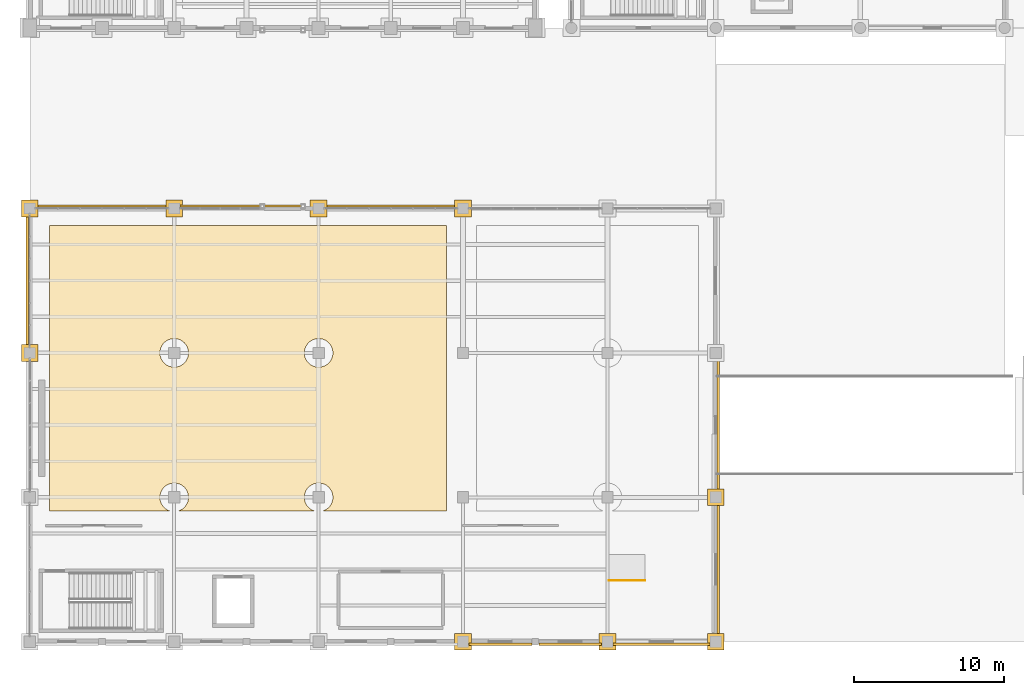
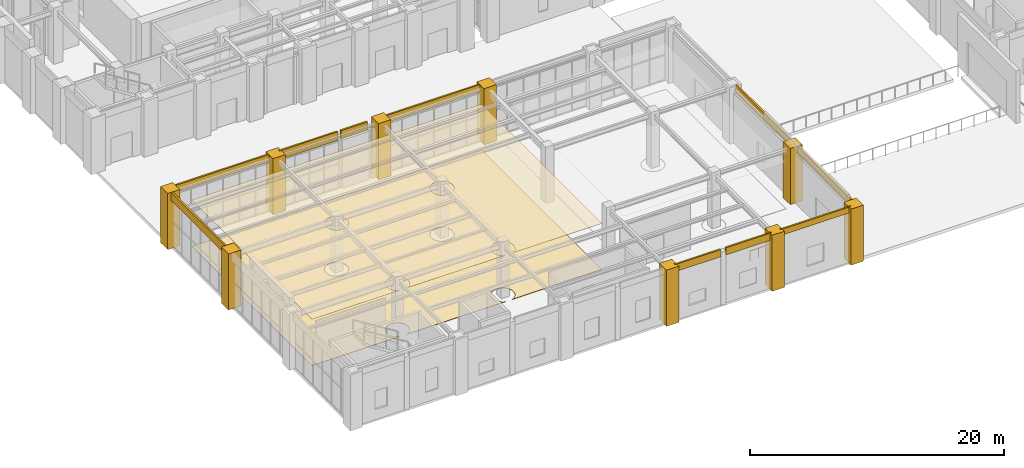
# One storey, part 141 of 164: 21 coverings, 1 railing.
"""IFC4 building model written with IfcOpenShell, lengths in metres."""

from ifc_helpers import new_model, si_unit, direction, frame, origin, origin_2d, place, context, subcontext, project, spatial, polyline, circle, outline, extrude, material, layer, layer_set, type_object, element, save


model = new_model("IFC4")

# Units and contexts
model_context = context("Model", 3, precision=1e-05, world=origin(), true_north=direction((0.0, 1.0)))
body_context = subcontext(model_context, "Body", "Model", "MODEL_VIEW")
ifc_project = project(units=[si_unit("LENGTHUNIT", "METRE"), si_unit("AREAUNIT", "SQUARE_METRE"), si_unit("VOLUMEUNIT", "CUBIC_METRE"), si_unit("PLANEANGLEUNIT", "RADIAN"), si_unit("MASSUNIT", "GRAM", prefix="KILO")], contexts=[model_context])

# Site, building, storey
site_placement = place(None, origin())
site = spatial("IfcSite", under=ifc_project, at=site_placement, CompositionType="ELEMENT")
building_placement = place(site_placement, origin())
building = spatial("IfcBuilding", under=site, at=building_placement, Name="Mavantir Sound Aquarium", CompositionType="ELEMENT")
storey_placement = place(building_placement, origin())
storey = spatial("IfcBuildingStorey", under=building, at=storey_placement, Name="L00", CompositionType="ELEMENT", Elevation=0.0)

# Coverings
ifc_material_1 = material(Name="Moisture-Resistant Acoustic Mineral Fibre Tile")
ifc_layer_1 = layer(ifc_material_1, 0.02490234375, Name="Moisture-Resistant Acoustic Mineral Fibre Tile")
ifc_layer_set_1 = layer_set([ifc_layer_1], Name="Moisture-Resistant Acoustic Mineral Fibre Tile")
covering_type_1 = type_object("IfcCoveringType", Name="COV-CEIL-AC", PredefinedType="CEILING", material=ifc_layer_set_1)
covering_1_placement = place(storey_placement, frame((0.0, 0.0, 4.458984375)))
element("IfcCovering", 1, at=covering_1_placement, inside=storey, type_object=covering_type_1, Name="L00 Education Centre Ground Foyer and School Seminar Hall suspended acoustic ceiling", PredefinedType="CEILING", context=body_context, shape_type="SweptSolid", body=[
    extrude(outline(polyline([(1.300048828125, 27.659912109375), (27.699951171875, 27.659912109375), (27.699951171875, 8.699951171875), (19.501220703125, 8.699951171875), (19.5634765625, 8.722412109375), (19.647705078125, 8.76220703125), (19.727783203125, 8.81005859375), (19.802734375, 8.865478515625), (19.871826171875, 8.92822265625), (19.934326171875, 8.997314453125), (19.989990234375, 9.072265625), (20.037841796875, 9.152099609375), (20.07763671875, 9.236572265625), (20.109130859375, 9.32421875), (20.131591796875, 9.414794921875), (20.1455078125, 9.5068359375), (20.14990234375, 9.60009765625), (20.1455078125, 9.693115234375), (20.131591796875, 9.785400390625), (20.109130859375, 9.875732421875), (20.07763671875, 9.96337890625), (20.037841796875, 10.0478515625), (19.989990234375, 10.127685546875), (19.934326171875, 10.20263671875), (19.871826171875, 10.271728515625), (19.802734375, 10.33447265625), (19.727783203125, 10.389892578125), (19.647705078125, 10.437744140625), (19.5634765625, 10.477783203125), (19.475830078125, 10.509033203125), (19.38525390625, 10.53173828125), (19.293212890625, 10.54541015625), (19.199951171875, 10.550048828125), (19.10693359375, 10.54541015625), (19.0146484375, 10.53173828125), (18.92431640625, 10.509033203125), (18.83642578125, 10.477783203125), (18.752197265625, 10.437744140625), (18.672119140625, 10.389892578125), (18.597412109375, 10.33447265625), (18.5283203125, 10.271728515625), (18.465576171875, 10.20263671875), (18.41015625, 10.127685546875), (18.3623046875, 10.0478515625), (18.322265625, 9.96337890625), (18.291015625, 9.875732421875), (18.268310546875, 9.785400390625), (18.254638671875, 9.693115234375), (18.25, 9.60009765625), (18.254638671875, 9.5068359375), (18.268310546875, 9.414794921875), (18.291015625, 9.32421875), (18.322265625, 9.236572265625), (18.3623046875, 9.152099609375), (18.41015625, 9.072265625), (18.465576171875, 8.997314453125), (18.5283203125, 8.92822265625), (18.597412109375, 8.865478515625), (18.672119140625, 8.81005859375), (18.752197265625, 8.76220703125), (18.83642578125, 8.722412109375), (18.898681640625, 8.699951171875), (9.901123046875, 8.699951171875), (9.96337890625, 8.722412109375), (10.0478515625, 8.76220703125), (10.127685546875, 8.81005859375), (10.20263671875, 8.865478515625), (10.271728515625, 8.92822265625), (10.33447265625, 8.997314453125), (10.389892578125, 9.072265625), (10.437744140625, 9.152099609375), (10.477783203125, 9.236572265625), (10.509033203125, 9.32421875), (10.53173828125, 9.414794921875), (10.54541015625, 9.5068359375), (10.550048828125, 9.60009765625), (10.54541015625, 9.693115234375), (10.53173828125, 9.785400390625), (10.509033203125, 9.875732421875), (10.477783203125, 9.96337890625), (10.437744140625, 10.0478515625), (10.389892578125, 10.127685546875), (10.33447265625, 10.20263671875), (10.271728515625, 10.271728515625), (10.20263671875, 10.33447265625), (10.127685546875, 10.389892578125), (10.0478515625, 10.437744140625), (9.96337890625, 10.477783203125), (9.875732421875, 10.509033203125), (9.785400390625, 10.53173828125), (9.693115234375, 10.54541015625), (9.60009765625, 10.550048828125), (9.5068359375, 10.54541015625), (9.414794921875, 10.53173828125), (9.32421875, 10.509033203125), (9.236572265625, 10.477783203125), (9.152099609375, 10.437744140625), (9.072265625, 10.389892578125), (8.997314453125, 10.33447265625), (8.92822265625, 10.271728515625), (8.865478515625, 10.20263671875), (8.81005859375, 10.127685546875), (8.76220703125, 10.0478515625), (8.722412109375, 9.96337890625), (8.69091796875, 9.875732421875), (8.668212890625, 9.785400390625), (8.654541015625, 9.693115234375), (8.64990234375, 9.60009765625), (8.654541015625, 9.5068359375), (8.668212890625, 9.414794921875), (8.69091796875, 9.32421875), (8.722412109375, 9.236572265625), (8.76220703125, 9.152099609375), (8.81005859375, 9.072265625), (8.865478515625, 8.997314453125), (8.92822265625, 8.92822265625), (8.997314453125, 8.865478515625), (9.072265625, 8.81005859375), (9.152099609375, 8.76220703125), (9.236572265625, 8.722412109375), (9.298828125, 8.699951171875), (1.300048828125, 8.699951171875), (1.300048828125, 27.659912109375)]), holes=[polyline([(10.33447265625, 18.597412109375), (10.389892578125, 18.672119140625), (10.437744140625, 18.752197265625), (10.477783203125, 18.83642578125), (10.509033203125, 18.92431640625), (10.53173828125, 19.0146484375), (10.54541015625, 19.10693359375), (10.550048828125, 19.199951171875), (10.54541015625, 19.293212890625), (10.53173828125, 19.38525390625), (10.509033203125, 19.475830078125), (10.477783203125, 19.5634765625), (10.437744140625, 19.647705078125), (10.389892578125, 19.727783203125), (10.33447265625, 19.802734375), (10.271728515625, 19.871826171875), (10.20263671875, 19.934326171875), (10.127685546875, 19.989990234375), (10.0478515625, 20.037841796875), (9.96337890625, 20.07763671875), (9.875732421875, 20.109130859375), (9.785400390625, 20.131591796875), (9.693115234375, 20.1455078125), (9.60009765625, 20.14990234375), (9.5068359375, 20.1455078125), (9.414794921875, 20.131591796875), (9.32421875, 20.109130859375), (9.236572265625, 20.07763671875), (9.152099609375, 20.037841796875), (9.072265625, 19.989990234375), (8.997314453125, 19.934326171875), (8.92822265625, 19.871826171875), (8.865478515625, 19.802734375), (8.81005859375, 19.727783203125), (8.76220703125, 19.647705078125), (8.722412109375, 19.5634765625), (8.69091796875, 19.475830078125), (8.668212890625, 19.38525390625), (8.654541015625, 19.293212890625), (8.64990234375, 19.199951171875), (8.654541015625, 19.10693359375), (8.668212890625, 19.0146484375), (8.69091796875, 18.92431640625), (8.722412109375, 18.83642578125), (8.76220703125, 18.752197265625), (8.81005859375, 18.672119140625), (8.865478515625, 18.597412109375), (8.92822265625, 18.5283203125), (8.997314453125, 18.465576171875), (9.072265625, 18.41015625), (9.152099609375, 18.3623046875), (9.236572265625, 18.322265625), (9.32421875, 18.291015625), (9.414794921875, 18.268310546875), (9.5068359375, 18.254638671875), (9.60009765625, 18.25), (9.693115234375, 18.254638671875), (9.785400390625, 18.268310546875), (9.875732421875, 18.291015625), (9.96337890625, 18.322265625), (10.0478515625, 18.3623046875), (10.127685546875, 18.41015625), (10.20263671875, 18.465576171875), (10.271728515625, 18.5283203125), (10.33447265625, 18.597412109375)]), polyline([(19.934326171875, 18.597412109375), (19.989990234375, 18.672119140625), (20.037841796875, 18.752197265625), (20.07763671875, 18.83642578125), (20.109130859375, 18.92431640625), (20.131591796875, 19.0146484375), (20.1455078125, 19.10693359375), (20.14990234375, 19.199951171875), (20.1455078125, 19.293212890625), (20.131591796875, 19.38525390625), (20.109130859375, 19.475830078125), (20.07763671875, 19.5634765625), (20.037841796875, 19.647705078125), (19.989990234375, 19.727783203125), (19.934326171875, 19.802734375), (19.871826171875, 19.871826171875), (19.802734375, 19.934326171875), (19.727783203125, 19.989990234375), (19.647705078125, 20.037841796875), (19.5634765625, 20.07763671875), (19.475830078125, 20.109130859375), (19.38525390625, 20.131591796875), (19.293212890625, 20.1455078125), (19.199951171875, 20.14990234375), (19.10693359375, 20.1455078125), (19.0146484375, 20.131591796875), (18.92431640625, 20.109130859375), (18.83642578125, 20.07763671875), (18.752197265625, 20.037841796875), (18.672119140625, 19.989990234375), (18.597412109375, 19.934326171875), (18.5283203125, 19.871826171875), (18.465576171875, 19.802734375), (18.41015625, 19.727783203125), (18.3623046875, 19.647705078125), (18.322265625, 19.5634765625), (18.291015625, 19.475830078125), (18.268310546875, 19.38525390625), (18.254638671875, 19.293212890625), (18.25, 19.199951171875), (18.254638671875, 19.10693359375), (18.268310546875, 19.0146484375), (18.291015625, 18.92431640625), (18.322265625, 18.83642578125), (18.3623046875, 18.752197265625), (18.41015625, 18.672119140625), (18.465576171875, 18.597412109375), (18.5283203125, 18.5283203125), (18.597412109375, 18.465576171875), (18.672119140625, 18.41015625), (18.752197265625, 18.3623046875), (18.83642578125, 18.322265625), (18.92431640625, 18.291015625), (19.0146484375, 18.268310546875), (19.10693359375, 18.254638671875), (19.199951171875, 18.25), (19.293212890625, 18.254638671875), (19.38525390625, 18.268310546875), (19.475830078125, 18.291015625), (19.5634765625, 18.322265625), (19.647705078125, 18.3623046875), (19.727783203125, 18.41015625), (19.802734375, 18.465576171875), (19.871826171875, 18.5283203125), (19.934326171875, 18.597412109375)])]), origin(), (0.0, 0.0, 1.0), 0.02490234375),
])
ifc_material_2 = material(Name="Honed Coral-Limestone & Glazed Terracotta Rainscreen Cladding", Category="masonry")
ifc_layer_2 = layer(ifc_material_2, 0.06005859375, Name="Honed Coral-Limestone & Glazed Terracotta Rainscreen Cladding")
ifc_layer_set_2 = layer_set([ifc_layer_2], Name="Honed Coral-Limestone & Glazed Terracotta Rainscreen Cladding")
covering_type_2 = type_object("IfcCoveringType", Name="COV-CLAD-TC", PredefinedType="CLADDING", material=ifc_layer_set_2)
covering_2_placement = place(storey_placement, frame((0.0, 0.0, 4.72802734375)))
element("IfcCovering", 2, at=covering_2_placement, inside=storey, type_object=covering_type_2, Name="L00 Postmodern coral-limestone spandrel frieze 44", PredefinedType="CLADDING", context=body_context, shape_type="SweptSolid", body=[
    extrude(outline(polyline([(45.68994140625, 0.383056640625), (45.68994140625, 9.217041015625), (45.840087890625, 9.217041015625), (45.840087890625, 0.383056640625), (45.68994140625, 0.383056640625)])), origin(), (0.0, 0.0, 1.0), 0.671875),
])
covering_3_placement = place(storey_placement, frame((0.0, 0.0, 4.72802734375)))
element("IfcCovering", 3, at=covering_3_placement, inside=storey, type_object=covering_type_2, Name="L00 Postmodern coral-limestone spandrel frieze 45", PredefinedType="CLADDING", context=body_context, shape_type="SweptSolid", body=[
    extrude(outline(polyline([(45.68994140625, 9.98291015625), (45.68994140625, 18.81689453125), (45.840087890625, 18.81689453125), (45.840087890625, 9.98291015625), (45.68994140625, 9.98291015625)])), origin(), (0.0, 0.0, 1.0), 0.671875),
])
covering_4_placement = place(storey_placement, frame((0.0, 0.0, 4.7080078125)))
element("IfcCovering", 4, at=covering_4_placement, inside=storey, type_object=covering_type_2, Name="L00 Postmodern coral-limestone spandrel frieze 49", PredefinedType="CLADDING", context=body_context, shape_type="SweptSolid", body=[
    extrude(outline(polyline([(28.4169921875, 28.889892578125), (19.5830078125, 28.889892578125), (19.5830078125, 29.0400390625), (28.4169921875, 29.0400390625), (28.4169921875, 28.889892578125)])), origin(), (0.0, 0.0, 1.0), 0.69189453125),
])
covering_5_placement = place(storey_placement, frame((0.0, 0.0, 4.571044921875)))
element("IfcCovering", 5, at=covering_5_placement, inside=storey, type_object=covering_type_2, Name="L00 Postmodern coral-limestone spandrel frieze 50", PredefinedType="CLADDING", context=body_context, shape_type="SweptSolid", body=[
    extrude(outline(polyline([(18.01708984375, 28.889892578125), (15.5830078125, 28.889892578125), (15.5830078125, 29.0400390625), (18.01708984375, 29.0400390625), (18.01708984375, 28.889892578125)])), origin(), (0.0, 0.0, 1.0), 0.828857421875),
])
covering_6_placement = place(storey_placement, frame((0.0, 0.0, 4.571044921875)))
element("IfcCovering", 6, at=covering_6_placement, inside=storey, type_object=covering_type_2, Name="L00 Postmodern coral-limestone spandrel frieze 51", PredefinedType="CLADDING", context=body_context, shape_type="SweptSolid", body=[
    extrude(outline(polyline([(15.31689453125, 28.889892578125), (9.98291015625, 28.889892578125), (9.98291015625, 29.0400390625), (15.31689453125, 29.0400390625), (15.31689453125, 28.889892578125)])), origin(), (0.0, 0.0, 1.0), 0.828857421875),
])
covering_7_placement = place(storey_placement, frame((0.0, 0.0, 4.7080078125)))
element("IfcCovering", 7, at=covering_7_placement, inside=storey, type_object=covering_type_2, Name="L00 Postmodern coral-limestone spandrel frieze 52", PredefinedType="CLADDING", context=body_context, shape_type="SweptSolid", body=[
    extrude(outline(polyline([(9.217041015625, 28.889892578125), (0.383056640625, 28.889892578125), (0.383056640625, 29.0400390625), (9.217041015625, 29.0400390625), (9.217041015625, 28.889892578125)])), origin(), (0.0, 0.0, 1.0), 0.69189453125),
])
covering_8_placement = place(storey_placement, frame((0.0, 0.0, 4.59912109375)))
element("IfcCovering", 8, at=covering_8_placement, inside=storey, type_object=covering_type_2, Name="L00 Postmodern coral-limestone spandrel frieze 53", PredefinedType="CLADDING", context=body_context, shape_type="SweptSolid", body=[
    extrude(outline(polyline([(-0.090087890625, 28.4169921875), (-0.090087890625, 19.5830078125), (-0.239990234375, 19.5830078125), (-0.239990234375, 28.4169921875), (-0.090087890625, 28.4169921875)])), origin(), (0.0, 0.0, 1.0), 0.80078125),
])
covering_9_placement = place(storey_placement, frame((0.0, 0.0, 4.7080078125)))
element("IfcCovering", 9, at=covering_9_placement, inside=storey, type_object=covering_type_2, Name="L00 Postmodern coral-limestone spandrel frieze 62", PredefinedType="CLADDING", context=body_context, shape_type="SweptSolid", body=[
    extrude(outline(polyline([(29.18310546875, -0.090087890625), (33.366943359375, -0.090087890625), (33.366943359375, -0.239990234375), (29.18310546875, -0.239990234375), (29.18310546875, -0.090087890625)])), origin(), (0.0, 0.0, 1.0), 0.69189453125),
])
covering_10_placement = place(storey_placement, frame((0.0, 0.0, 4.7080078125)))
element("IfcCovering", 10, at=covering_10_placement, inside=storey, type_object=covering_type_2, Name="L00 Postmodern coral-limestone spandrel frieze 63", PredefinedType="CLADDING", context=body_context, shape_type="SweptSolid", body=[
    extrude(outline(polyline([(33.8330078125, -0.090087890625), (38.01708984375, -0.090087890625), (38.01708984375, -0.239990234375), (33.8330078125, -0.239990234375), (33.8330078125, -0.090087890625)])), origin(), (0.0, 0.0, 1.0), 0.69189453125),
])
covering_11_placement = place(storey_placement, frame((0.0, 0.0, 4.8330078125)))
element("IfcCovering", 11, at=covering_11_placement, inside=storey, type_object=covering_type_2, Name="L00 Postmodern coral-limestone spandrel frieze 64", PredefinedType="CLADDING", context=body_context, shape_type="SweptSolid", body=[
    extrude(outline(polyline([(38.782958984375, -0.090087890625), (45.217041015625, -0.090087890625), (45.217041015625, -0.239990234375), (38.782958984375, -0.239990234375), (38.782958984375, -0.090087890625)])), origin(), (0.0, 0.0, 1.0), 0.56689453125),
])
covering_12_placement = place(storey_placement, origin())
element("IfcCovering", 12, at=covering_12_placement, inside=storey, type_object=covering_type_2, Name="L00 Postmodern coral-limestone pilaster casing 167", PredefinedType="CLADDING", context=body_context, shape_type="SweptSolid", body=[
    extrude(outline(polyline([(-0.56005859375, 18.639892578125), (0.56005859375, 18.639892578125), (0.56005859375, 19.760009765625), (-0.56005859375, 19.760009765625), (-0.56005859375, 18.639892578125)])), origin(), (0.0, 0.0, 1.0), 5.39990234375),
])
covering_13_placement = place(storey_placement, origin())
element("IfcCovering", 13, at=covering_13_placement, inside=storey, type_object=covering_type_2, Name="L00 Postmodern coral-limestone pilaster casing 171", PredefinedType="CLADDING", context=body_context, shape_type="SweptSolid", body=[
    extrude(outline(polyline([(-0.56005859375, 28.239990234375), (0.56005859375, 28.239990234375), (0.56005859375, 29.360107421875), (-0.56005859375, 29.360107421875), (-0.56005859375, 28.239990234375)])), origin(), (0.0, 0.0, 1.0), 5.39990234375),
])
covering_14_placement = place(storey_placement, origin())
element("IfcCovering", 14, at=covering_14_placement, inside=storey, type_object=covering_type_2, Name="L00 Postmodern coral-limestone pilaster casing 179", PredefinedType="CLADDING", context=body_context, shape_type="SweptSolid", body=[
    extrude(outline(polyline([(9.0400390625, 28.239990234375), (10.159912109375, 28.239990234375), (10.159912109375, 29.360107421875), (9.0400390625, 29.360107421875), (9.0400390625, 28.239990234375)])), origin(), (0.0, 0.0, 1.0), 5.39990234375),
])
covering_15_placement = place(storey_placement, origin())
element("IfcCovering", 15, at=covering_15_placement, inside=storey, type_object=covering_type_2, Name="L00 Postmodern coral-limestone pilaster casing 187", PredefinedType="CLADDING", context=body_context, shape_type="SweptSolid", body=[
    extrude(outline(polyline([(18.639892578125, 28.239990234375), (19.760009765625, 28.239990234375), (19.760009765625, 29.360107421875), (18.639892578125, 29.360107421875), (18.639892578125, 28.239990234375)])), origin(), (0.0, 0.0, 1.0), 5.39990234375),
])
covering_16_placement = place(storey_placement, origin())
element("IfcCovering", 16, at=covering_16_placement, inside=storey, type_object=covering_type_2, Name="L00 Postmodern coral-limestone pilaster casing 189", PredefinedType="CLADDING", context=body_context, shape_type="SweptSolid", body=[
    extrude(outline(polyline([(28.239990234375, -0.56005859375), (29.360107421875, -0.56005859375), (29.360107421875, 0.56005859375), (28.239990234375, 0.56005859375), (28.239990234375, -0.56005859375)])), origin(), (0.0, 0.0, 1.0), 5.39990234375),
])
covering_17_placement = place(storey_placement, origin())
element("IfcCovering", 17, at=covering_17_placement, inside=storey, type_object=covering_type_2, Name="L00 Postmodern coral-limestone pilaster casing 196", PredefinedType="CLADDING", context=body_context, shape_type="SweptSolid", body=[
    extrude(outline(polyline([(28.239990234375, 28.239990234375), (29.360107421875, 28.239990234375), (29.360107421875, 29.360107421875), (28.239990234375, 29.360107421875), (28.239990234375, 28.239990234375)])), origin(), (0.0, 0.0, 1.0), 5.39990234375),
])
covering_18_placement = place(storey_placement, origin())
element("IfcCovering", 18, at=covering_18_placement, inside=storey, type_object=covering_type_2, Name="L00 Postmodern coral-limestone pilaster casing 198", PredefinedType="CLADDING", context=body_context, shape_type="SweptSolid", body=[
    extrude(outline(polyline([(37.840087890625, -0.56005859375), (38.9599609375, -0.56005859375), (38.9599609375, 0.56005859375), (37.840087890625, 0.56005859375), (37.840087890625, -0.56005859375)])), origin(), (0.0, 0.0, 1.0), 5.39990234375),
])
covering_19_placement = place(storey_placement, origin())
element("IfcCovering", 19, at=covering_19_placement, inside=storey, type_object=covering_type_2, Name="L00 Postmodern coral-limestone pilaster casing 207", PredefinedType="CLADDING", context=body_context, shape_type="SweptSolid", body=[
    extrude(outline(polyline([(45.0400390625, -0.56005859375), (46.159912109375, -0.56005859375), (46.159912109375, 0.56005859375), (45.0400390625, 0.56005859375), (45.0400390625, -0.56005859375)])), origin(), (0.0, 0.0, 1.0), 5.39990234375),
])
covering_20_placement = place(storey_placement, origin())
element("IfcCovering", 20, at=covering_20_placement, inside=storey, type_object=covering_type_2, Name="L00 Postmodern coral-limestone pilaster casing 208", PredefinedType="CLADDING", context=body_context, shape_type="SweptSolid", body=[
    extrude(outline(polyline([(45.0400390625, 9.0400390625), (46.159912109375, 9.0400390625), (46.159912109375, 10.159912109375), (45.0400390625, 10.159912109375), (45.0400390625, 9.0400390625)])), origin(), (0.0, 0.0, 1.0), 5.39990234375),
])
ifc_material_3 = material(Name="Marine Epoxy Recycled-Shell Terrazzo Flooring")
ifc_layer_3 = layer(ifc_material_3, 0.030029296875, Name="Marine Epoxy Recycled-Shell Terrazzo Flooring")
ifc_layer_set_3 = layer_set([ifc_layer_3], Name="Marine Epoxy Recycled-Shell Terrazzo Flooring")
covering_type_3 = type_object("IfcCoveringType", Name="COV-FLR-TZ", PredefinedType="FLOORING", material=ifc_layer_set_3)
covering_21_placement = place(storey_placement, origin())
element("IfcCovering", 21, at=covering_21_placement, inside=storey, type_object=covering_type_3, Name="L00 Education Centre Ground Foyer and School Seminar Hall terrazzo flooring", PredefinedType="FLOORING", context=body_context, shape_type="SweptSolid", body=[
    extrude(outline(polyline([(1.300048828125, 27.659912109375), (27.699951171875, 27.659912109375), (27.699951171875, 8.699951171875), (19.501220703125, 8.699951171875), (19.5634765625, 8.722412109375), (19.647705078125, 8.76220703125), (19.727783203125, 8.81005859375), (19.802734375, 8.865478515625), (19.871826171875, 8.92822265625), (19.934326171875, 8.997314453125), (19.989990234375, 9.072265625), (20.037841796875, 9.152099609375), (20.07763671875, 9.236572265625), (20.109130859375, 9.32421875), (20.131591796875, 9.414794921875), (20.1455078125, 9.5068359375), (20.14990234375, 9.60009765625), (20.1455078125, 9.693115234375), (20.131591796875, 9.785400390625), (20.109130859375, 9.875732421875), (20.07763671875, 9.96337890625), (20.037841796875, 10.0478515625), (19.989990234375, 10.127685546875), (19.934326171875, 10.20263671875), (19.871826171875, 10.271728515625), (19.802734375, 10.33447265625), (19.727783203125, 10.389892578125), (19.647705078125, 10.437744140625), (19.5634765625, 10.477783203125), (19.475830078125, 10.509033203125), (19.38525390625, 10.53173828125), (19.293212890625, 10.54541015625), (19.199951171875, 10.550048828125), (19.10693359375, 10.54541015625), (19.0146484375, 10.53173828125), (18.92431640625, 10.509033203125), (18.83642578125, 10.477783203125), (18.752197265625, 10.437744140625), (18.672119140625, 10.389892578125), (18.597412109375, 10.33447265625), (18.5283203125, 10.271728515625), (18.465576171875, 10.20263671875), (18.41015625, 10.127685546875), (18.3623046875, 10.0478515625), (18.322265625, 9.96337890625), (18.291015625, 9.875732421875), (18.268310546875, 9.785400390625), (18.254638671875, 9.693115234375), (18.25, 9.60009765625), (18.254638671875, 9.5068359375), (18.268310546875, 9.414794921875), (18.291015625, 9.32421875), (18.322265625, 9.236572265625), (18.3623046875, 9.152099609375), (18.41015625, 9.072265625), (18.465576171875, 8.997314453125), (18.5283203125, 8.92822265625), (18.597412109375, 8.865478515625), (18.672119140625, 8.81005859375), (18.752197265625, 8.76220703125), (18.83642578125, 8.722412109375), (18.898681640625, 8.699951171875), (9.901123046875, 8.699951171875), (9.96337890625, 8.722412109375), (10.0478515625, 8.76220703125), (10.127685546875, 8.81005859375), (10.20263671875, 8.865478515625), (10.271728515625, 8.92822265625), (10.33447265625, 8.997314453125), (10.389892578125, 9.072265625), (10.437744140625, 9.152099609375), (10.477783203125, 9.236572265625), (10.509033203125, 9.32421875), (10.53173828125, 9.414794921875), (10.54541015625, 9.5068359375), (10.550048828125, 9.60009765625), (10.54541015625, 9.693115234375), (10.53173828125, 9.785400390625), (10.509033203125, 9.875732421875), (10.477783203125, 9.96337890625), (10.437744140625, 10.0478515625), (10.389892578125, 10.127685546875), (10.33447265625, 10.20263671875), (10.271728515625, 10.271728515625), (10.20263671875, 10.33447265625), (10.127685546875, 10.389892578125), (10.0478515625, 10.437744140625), (9.96337890625, 10.477783203125), (9.875732421875, 10.509033203125), (9.785400390625, 10.53173828125), (9.693115234375, 10.54541015625), (9.60009765625, 10.550048828125), (9.5068359375, 10.54541015625), (9.414794921875, 10.53173828125), (9.32421875, 10.509033203125), (9.236572265625, 10.477783203125), (9.152099609375, 10.437744140625), (9.072265625, 10.389892578125), (8.997314453125, 10.33447265625), (8.92822265625, 10.271728515625), (8.865478515625, 10.20263671875), (8.81005859375, 10.127685546875), (8.76220703125, 10.0478515625), (8.722412109375, 9.96337890625), (8.69091796875, 9.875732421875), (8.668212890625, 9.785400390625), (8.654541015625, 9.693115234375), (8.64990234375, 9.60009765625), (8.654541015625, 9.5068359375), (8.668212890625, 9.414794921875), (8.69091796875, 9.32421875), (8.722412109375, 9.236572265625), (8.76220703125, 9.152099609375), (8.81005859375, 9.072265625), (8.865478515625, 8.997314453125), (8.92822265625, 8.92822265625), (8.997314453125, 8.865478515625), (9.072265625, 8.81005859375), (9.152099609375, 8.76220703125), (9.236572265625, 8.722412109375), (9.298828125, 8.699951171875), (1.300048828125, 8.699951171875), (1.300048828125, 27.659912109375)]), holes=[polyline([(10.33447265625, 18.597412109375), (10.389892578125, 18.672119140625), (10.437744140625, 18.752197265625), (10.477783203125, 18.83642578125), (10.509033203125, 18.92431640625), (10.53173828125, 19.0146484375), (10.54541015625, 19.10693359375), (10.550048828125, 19.199951171875), (10.54541015625, 19.293212890625), (10.53173828125, 19.38525390625), (10.509033203125, 19.475830078125), (10.477783203125, 19.5634765625), (10.437744140625, 19.647705078125), (10.389892578125, 19.727783203125), (10.33447265625, 19.802734375), (10.271728515625, 19.871826171875), (10.20263671875, 19.934326171875), (10.127685546875, 19.989990234375), (10.0478515625, 20.037841796875), (9.96337890625, 20.07763671875), (9.875732421875, 20.109130859375), (9.785400390625, 20.131591796875), (9.693115234375, 20.1455078125), (9.60009765625, 20.14990234375), (9.5068359375, 20.1455078125), (9.414794921875, 20.131591796875), (9.32421875, 20.109130859375), (9.236572265625, 20.07763671875), (9.152099609375, 20.037841796875), (9.072265625, 19.989990234375), (8.997314453125, 19.934326171875), (8.92822265625, 19.871826171875), (8.865478515625, 19.802734375), (8.81005859375, 19.727783203125), (8.76220703125, 19.647705078125), (8.722412109375, 19.5634765625), (8.69091796875, 19.475830078125), (8.668212890625, 19.38525390625), (8.654541015625, 19.293212890625), (8.64990234375, 19.199951171875), (8.654541015625, 19.10693359375), (8.668212890625, 19.0146484375), (8.69091796875, 18.92431640625), (8.722412109375, 18.83642578125), (8.76220703125, 18.752197265625), (8.81005859375, 18.672119140625), (8.865478515625, 18.597412109375), (8.92822265625, 18.5283203125), (8.997314453125, 18.465576171875), (9.072265625, 18.41015625), (9.152099609375, 18.3623046875), (9.236572265625, 18.322265625), (9.32421875, 18.291015625), (9.414794921875, 18.268310546875), (9.5068359375, 18.254638671875), (9.60009765625, 18.25), (9.693115234375, 18.254638671875), (9.785400390625, 18.268310546875), (9.875732421875, 18.291015625), (9.96337890625, 18.322265625), (10.0478515625, 18.3623046875), (10.127685546875, 18.41015625), (10.20263671875, 18.465576171875), (10.271728515625, 18.5283203125), (10.33447265625, 18.597412109375)]), polyline([(19.934326171875, 18.597412109375), (19.989990234375, 18.672119140625), (20.037841796875, 18.752197265625), (20.07763671875, 18.83642578125), (20.109130859375, 18.92431640625), (20.131591796875, 19.0146484375), (20.1455078125, 19.10693359375), (20.14990234375, 19.199951171875), (20.1455078125, 19.293212890625), (20.131591796875, 19.38525390625), (20.109130859375, 19.475830078125), (20.07763671875, 19.5634765625), (20.037841796875, 19.647705078125), (19.989990234375, 19.727783203125), (19.934326171875, 19.802734375), (19.871826171875, 19.871826171875), (19.802734375, 19.934326171875), (19.727783203125, 19.989990234375), (19.647705078125, 20.037841796875), (19.5634765625, 20.07763671875), (19.475830078125, 20.109130859375), (19.38525390625, 20.131591796875), (19.293212890625, 20.1455078125), (19.199951171875, 20.14990234375), (19.10693359375, 20.1455078125), (19.0146484375, 20.131591796875), (18.92431640625, 20.109130859375), (18.83642578125, 20.07763671875), (18.752197265625, 20.037841796875), (18.672119140625, 19.989990234375), (18.597412109375, 19.934326171875), (18.5283203125, 19.871826171875), (18.465576171875, 19.802734375), (18.41015625, 19.727783203125), (18.3623046875, 19.647705078125), (18.322265625, 19.5634765625), (18.291015625, 19.475830078125), (18.268310546875, 19.38525390625), (18.254638671875, 19.293212890625), (18.25, 19.199951171875), (18.254638671875, 19.10693359375), (18.268310546875, 19.0146484375), (18.291015625, 18.92431640625), (18.322265625, 18.83642578125), (18.3623046875, 18.752197265625), (18.41015625, 18.672119140625), (18.465576171875, 18.597412109375), (18.5283203125, 18.5283203125), (18.597412109375, 18.465576171875), (18.672119140625, 18.41015625), (18.752197265625, 18.3623046875), (18.83642578125, 18.322265625), (18.92431640625, 18.291015625), (19.0146484375, 18.268310546875), (19.10693359375, 18.254638671875), (19.199951171875, 18.25), (19.293212890625, 18.254638671875), (19.38525390625, 18.268310546875), (19.475830078125, 18.291015625), (19.5634765625, 18.322265625), (19.647705078125, 18.3623046875), (19.727783203125, 18.41015625), (19.802734375, 18.465576171875), (19.871826171875, 18.5283203125), (19.934326171875, 18.597412109375)])]), origin(), (0.0, 0.0, 1.0), 0.030029296875),
])

# Railing
ifc_material_4 = material(Name="Brushed Stainless Steel 316 Handrail", Category="steel")
railing_type = type_object("IfcRailingType", Name="RL-HR-90", PredefinedType="HANDRAIL", material=ifc_material_4)
railing_placement = place(storey_placement, frame((38.5, 4.080078125, -0.06005859375)))
element("IfcRailing", 22, at=railing_placement, inside=storey, type_object=railing_type, Name="L00 accessible ramp handrail 1", PredefinedType="HANDRAIL", context=body_context, shape_type="SweptSolid", body=[
    extrude(circle(Radius=0.02392578125, at=origin_2d()), frame((0.0, 0.0, 0.89111328125), z_axis=(0.999687010872, 0.0, 0.025017599662), x_axis=(0.0, 1.0, 0.0)), (0.0, 0.0, 1.0), 2.400634765625),
    extrude(circle(Radius=0.02099609375, at=origin_2d()), origin(), (0.0, 0.0, 1.0), 0.866943359375),
    extrude(circle(Radius=0.02099609375, at=origin_2d()), frame((0.800048828125, 0.0, 0.02001953125)), (0.0, 0.0, 1.0), 0.866943359375),
    extrude(circle(Radius=0.02099609375, at=origin_2d()), frame((1.599853515625, 0.0, 0.0400390625)), (0.0, 0.0, 1.0), 0.866943359375),
    extrude(circle(Radius=0.02099609375, at=origin_2d()), frame((2.39990234375, 0.0, 0.06005859375)), (0.0, 0.0, 1.0), 0.866943359375),
])

save(model, "model.ifc")
